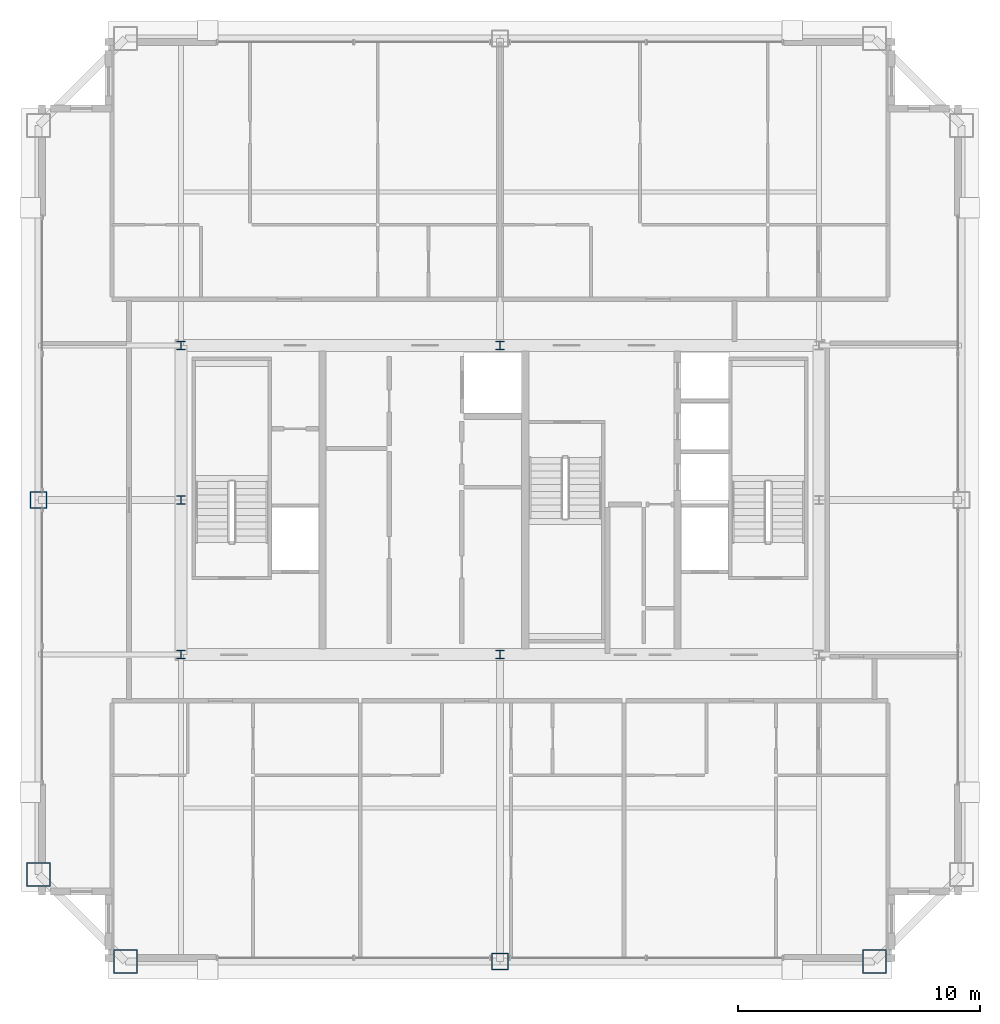
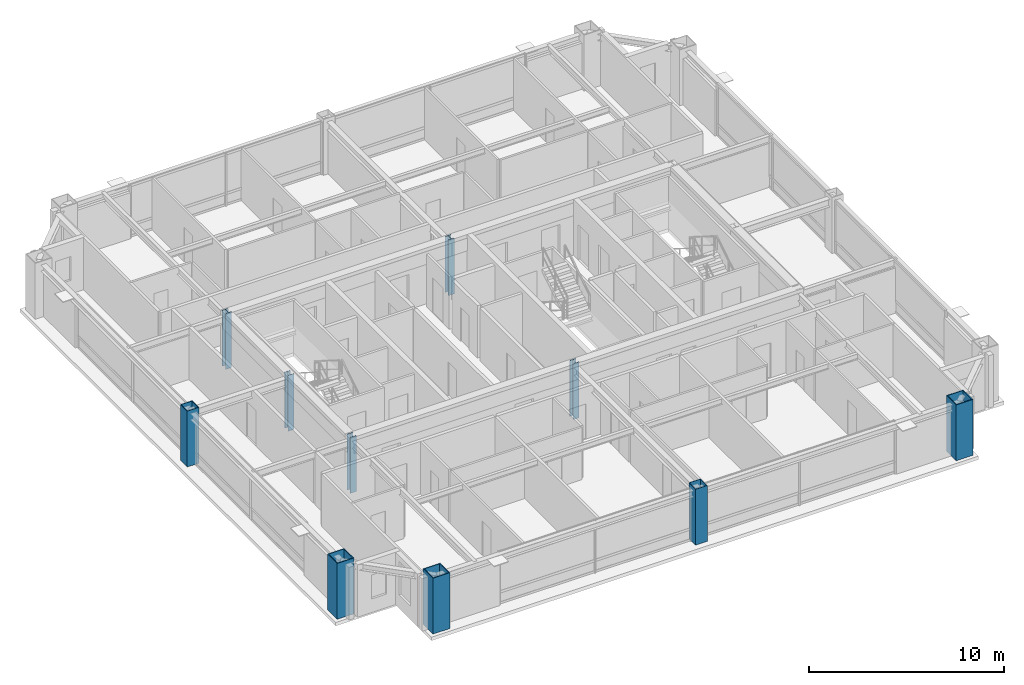
# One storey, part 1 of 35: 10 columns.
"""IFC4 building model written with IfcOpenShell, lengths in metres."""

import ifcopenshell
import ifcopenshell.guid

model = None  # the IFC model being written
_history = None  # IfcOwnerHistory: only IFC2X3 demands one
_inside = {}  # id of a spatial element -> (the spatial element, [elements in it])
_under = {}  # id of a project, library or spatial element -> (it, [spatial elements below it])
_declared = {}  # id of a project -> (the project, [libraries it declares])
_typed = {}  # id of a type object -> (the type object, [elements of that type])
_made_of = {}  # id of a material, layer set ... -> (it, [elements and type objects made of it])


def new_model(schema):
    """Start an empty IFC model of exactly this schema.

    Asked for "IFC4X3", IfcOpenShell would pick the latest addendum, in which some entities
    have other attributes; the version numbers below select the first issue.
    IFC2X3 requires an IfcOwnerHistory on every rooted entity: one is made here for all.
    """
    global model, _history
    if schema == "IFC4X3":
        model = ifcopenshell.file(schema_version=(4, 3, 0, 0))
    else:
        model = ifcopenshell.file(schema=schema)
    _inside.clear()
    _under.clear()
    _declared.clear()
    _typed.clear()
    _made_of.clear()
    _history = None
    if model.schema == "IFC2X3":
        org = make("IfcOrganization", Name="unknown")
        user = make(
            "IfcPersonAndOrganization",
            ThePerson=make("IfcPerson", FamilyName="unknown"),
            TheOrganization=org,
        )
        app = make(
            "IfcApplication",
            ApplicationDeveloper=org,
            Version="unknown",
            ApplicationFullName="unknown",
            ApplicationIdentifier="unknown",
        )
        _history = make(
            "IfcOwnerHistory",
            OwningUser=user,
            OwningApplication=app,
            ChangeAction="ADDED",
            CreationDate=0,
        )
    return model


def make(cls, **values):
    """One entity of the class cls with the attributes given. An attribute that is None is left unset."""
    return model.create_entity(
        cls, **{name: value for name, value in values.items() if value is not None}
    )


def rooted(cls, **values):
    """An entity with a GlobalId (a new one), such as an element, a storey or a relation."""
    return make(cls, GlobalId=ifcopenshell.guid.new(), OwnerHistory=_history, **values)


def si_unit(unit_type, name, prefix=None):
    """IfcSIUnit, for example si_unit("LENGTHUNIT", "METRE", prefix="MILLI")."""
    return make("IfcSIUnit", UnitType=unit_type, Prefix=prefix, Name=name)


def assignment(units):
    """IfcUnitAssignment: the units of a project."""
    return None if units is None else make("IfcUnitAssignment", Units=units)


def point(xyz):
    """IfcCartesianPoint."""
    return None if xyz is None else make("IfcCartesianPoint", Coordinates=xyz)


def direction(xyz):
    """IfcDirection."""
    return None if xyz is None else make("IfcDirection", DirectionRatios=xyz)


def frame(location, z_axis=None, x_axis=None):
    """IfcAxis2Placement3D, a coordinate frame: its origin and axes. An axis left out is left unset."""
    return make(
        "IfcAxis2Placement3D",
        Location=point(location),
        Axis=direction(z_axis),
        RefDirection=direction(x_axis),
    )


def frame_2d(location, x_axis=None):
    """IfcAxis2Placement2D, a coordinate frame in the plane: its origin and x axis."""
    return make(
        "IfcAxis2Placement2D", Location=point(location), RefDirection=direction(x_axis)
    )


def origin():
    """The frame at (0, 0, 0) with its axes left unset."""
    return frame((0.0, 0.0, 0.0))


def origin_2d():
    """The frame at (0, 0) in the plane with its x axis left unset."""
    return frame_2d((0.0, 0.0))


def place(relative_to, where):
    """IfcLocalPlacement: puts the frame where relative to a parent placement (None: the world)."""
    return make(
        "IfcLocalPlacement", PlacementRelTo=relative_to, RelativePlacement=where
    )


def context(
    kind, dimensions, precision=None, world=None, true_north=None, identifier=None
):
    """IfcGeometricRepresentationContext, for example the 3D "Model" context."""
    return make(
        "IfcGeometricRepresentationContext",
        ContextIdentifier=identifier,
        ContextType=kind,
        CoordinateSpaceDimension=dimensions,
        Precision=precision,
        WorldCoordinateSystem=world,
        TrueNorth=true_north,
    )


def subcontext(parent, identifier, kind, view, scale=None):
    """IfcGeometricRepresentationSubContext, for example "Body" below "Model"."""
    return make(
        "IfcGeometricRepresentationSubContext",
        ContextIdentifier=identifier,
        ContextType=kind,
        ParentContext=parent,
        TargetScale=scale,
        TargetView=view,
    )


def project(units=None, contexts=None):
    """IfcProject with its units and contexts."""
    return rooted(
        "IfcProject",
        Name="project",
        RepresentationContexts=contexts,
        UnitsInContext=assignment(units),
    )


def spatial(cls, under=None, at=None, **own):
    """A site, building, storey or space (cls), placed at a placement, below another one or the project."""
    s = rooted(cls, ObjectPlacement=at, **own)
    if under is not None:
        _under.setdefault(under.id(), (under, []))[1].append(s)
    return s


def profile(cls, at=None, kind="AREA", **sizes):
    """A parametric profile (cls). Its sizes go by their IFC names, for example OverallWidth=200.0."""
    return make(cls, ProfileType=kind, Position=at, **sizes)


def hollow_rectangle(**sizes):
    """IfcRectangleHollowProfileDef."""
    return profile("IfcRectangleHollowProfileDef", **sizes)


def i_section(**sizes):
    """IfcIShapeProfileDef."""
    return profile("IfcIShapeProfileDef", **sizes)


def extrude(swept, where, along, depth):
    """IfcExtrudedAreaSolid: the profile swept, set in the frame where, extruded along a direction by depth."""
    return make(
        "IfcExtrudedAreaSolid",
        SweptArea=swept,
        Position=where,
        ExtrudedDirection=direction(along),
        Depth=depth,
    )


def shape(context_of_items, identifier, shape_type, items):
    """IfcShapeRepresentation: the items that make up one representation, for example the "Body"."""
    return make(
        "IfcShapeRepresentation",
        ContextOfItems=context_of_items,
        RepresentationIdentifier=identifier,
        RepresentationType=shape_type,
        Items=items,
    )


def source(mapping_origin, context_of_items, identifier, shape_type, items):
    """IfcRepresentationMap: a shape defined once, which mapped items show again and again."""
    return make(
        "IfcRepresentationMap",
        MappingOrigin=mapping_origin,
        MappedRepresentation=shape(context_of_items, identifier, shape_type, items),
    )


def transform(
    local_origin,
    x_axis=None,
    y_axis=None,
    z_axis=None,
    scale=None,
    scale2=None,
    scale3=None,
    uniform=True,
):
    """IfcCartesianTransformationOperator3D, or its non-uniform kind. x_axis, y_axis, z_axis: its Axis1, 2, 3."""
    if uniform:
        return make(
            "IfcCartesianTransformationOperator3D",
            Axis1=direction(x_axis),
            Axis2=direction(y_axis),
            LocalOrigin=point(local_origin),
            Scale=scale,
            Axis3=direction(z_axis),
        )
    return make(
        "IfcCartesianTransformationOperator3DnonUniform",
        Axis1=direction(x_axis),
        Axis2=direction(y_axis),
        LocalOrigin=point(local_origin),
        Scale=scale,
        Axis3=direction(z_axis),
        Scale2=scale2,
        Scale3=scale3,
    )


def mapped(mapping_source, mapping_target):
    """IfcMappedItem: shows the shape of a source again, moved by a transform."""
    return make(
        "IfcMappedItem", MappingSource=mapping_source, MappingTarget=mapping_target
    )


def material(Name=None, Category=None):
    """IfcMaterial."""
    return make("IfcMaterial", Name=Name, Category=Category)


def material_profile(
    of_material, cross_section, Name=None, Category=None, Priority=None
):
    """IfcMaterialProfile: a cross section and its material."""
    return make(
        "IfcMaterialProfile",
        Name=Name,
        Material=of_material,
        Profile=cross_section,
        Priority=Priority,
        Category=Category,
    )


def profile_set(profiles, Name=None, composite=None):
    """IfcMaterialProfileSet."""
    return make(
        "IfcMaterialProfileSet",
        Name=Name,
        MaterialProfiles=profiles,
        CompositeProfile=composite,
    )


def made_of(thing, what):
    """Note that an element or type object is made of a material, layer set ...; save() writes the relation."""
    if what is not None:
        _made_of.setdefault(what.id(), (what, []))[1].append(thing)
    return thing


def type_object(cls, material=None, **own):
    """A type object (cls), such as IfcWallType, which elements share."""
    return made_of(rooted(cls, **own), material)


def element(
    cls,
    number,
    at=None,
    inside=None,
    cuts=None,
    type_object=None,
    material=None,
    context=None,
    identifier="Body",
    shape_type=None,
    held_by="IfcProductDefinitionShape",
    body=None,
    shapes=None,
    **own,
):
    """One element of the class cls, such as IfcWall. Its Tag is "e" and its number.

    at: its placement. inside: the storey or other place that contains it. cuts: it is an
    opening in that element (IfcRelVoidsElement). A single representation is given by context,
    identifier, shape_type and body (its items); several are given by shapes. held_by: the class
    of the entity that holds the representations. save() writes the other relations.
    """
    e = rooted(cls, Tag="e%d" % number, ObjectPlacement=at, **own)
    if body is not None:
        shapes = [shape(context, identifier, shape_type, body)]
    if shapes is not None:
        e.Representation = make(held_by, Representations=shapes)
    if inside is not None:
        _inside.setdefault(inside.id(), (inside, []))[1].append(e)
    if cuts is not None:
        rooted(
            "IfcRelVoidsElement", RelatingBuildingElement=cuts, RelatedOpeningElement=e
        )
    if type_object is not None:
        _typed.setdefault(type_object.id(), (type_object, []))[1].append(e)
    return made_of(e, material)


def aggregate(whole, parts):
    """IfcRelAggregates: a whole, such as a stair, and the parts it consists of."""
    return rooted("IfcRelAggregates", RelatingObject=whole, RelatedObjects=parts)


def save(model, path):
    """Write the relations noted so far, then the file.

    IfcRelAggregates (storeys below a building ...), IfcRelContainedInSpatialStructure (elements
    in a storey), IfcRelDefinesByType, IfcRelAssociatesMaterial and IfcRelDeclares: one each for
    every whole, place, type object, material and project.
    """
    for whole, parts in _under.values():
        aggregate(whole, parts)
    for where, things in _inside.values():
        rooted(
            "IfcRelContainedInSpatialStructure",
            RelatedElements=things,
            RelatingStructure=where,
        )
    for kind, things in _typed.values():
        rooted("IfcRelDefinesByType", RelatedObjects=things, RelatingType=kind)
    for what, things in _made_of.values():
        rooted("IfcRelAssociatesMaterial", RelatedObjects=things, RelatingMaterial=what)
    for by, libraries in _declared.values():
        rooted("IfcRelDeclares", RelatingContext=by, RelatedDefinitions=libraries)
    model.write(path)


model = new_model("IFC4")

# Units and contexts
model_context = context("Model", 3, precision=1e-05, world=origin(), true_north=direction((0.0, 1.0)))
body_context = subcontext(model_context, "Body", "Model", "MODEL_VIEW")
ifc_project = project(units=[si_unit("LENGTHUNIT", "METRE"), si_unit("AREAUNIT", "SQUARE_METRE"), si_unit("VOLUMEUNIT", "CUBIC_METRE"), si_unit("PLANEANGLEUNIT", "RADIAN"), si_unit("MASSUNIT", "GRAM", prefix="KILO"), si_unit("THERMODYNAMICTEMPERATUREUNIT", "KELVIN"), si_unit("POWERUNIT", "WATT")], contexts=[model_context])

# Site, building, storey
site_placement = place(None, origin())
site = spatial("IfcSite", under=ifc_project, at=site_placement, CompositionType="ELEMENT")
building_placement = place(site_placement, origin())
building = spatial("IfcBuilding", under=site, at=building_placement, Name="Yuzanri Waterfront Tower", CompositionType="ELEMENT")
storey_placement = place(building_placement, frame((0.0, 0.0, 318.199951171875)))
storey = spatial("IfcBuildingStorey", under=building, at=storey_placement, Name="L85", CompositionType="ELEMENT", Elevation=318.199951171875)

# Columns
ifc_material_1 = material(Name="Steel Q355B", Category="steel")
ifc_material_profile_1 = material_profile(ifc_material_1, hollow_rectangle(XDim=0.699951171875, YDim=0.699951171875, WallThickness=0.031982421875, at=origin_2d()), Name="RHS 700x700x32")
ifc_profile_set_1 = profile_set([ifc_material_profile_1], Name="Steel Q355B")
column_type_1 = type_object("IfcColumnType", Name="Frame Column Q355B RHS 700x700x32", PredefinedType="COLUMN", material=ifc_profile_set_1)
shared_shape_1 = source(origin(), body_context, "Body", "SweptSolid", [
    extrude(hollow_rectangle(XDim=0.699951171875, YDim=0.699951171875, WallThickness=0.031982421875, at=origin_2d()), origin(), (0.0, 0.0, 1.0), 3.5),
])
for number, where, z_axis, x_axis, name in (
    (1, (37.0, 6.699951171875, 0.0), (0.0, 0.0, 1.0), (1.0, 0.0, 0.0), "L85 Perimeter Frame Column S2"),
    (2, (17.89990234375, 25.800048828125, 0.0), (0.0, 0.0, 1.0), (1.0, 0.0, 0.0), "L85 Perimeter Frame Column W2"),
):
    element("IfcColumn", number, at=place(storey_placement, frame(where, z_axis=z_axis, x_axis=x_axis)), inside=storey, type_object=column_type_1, Name=name, PredefinedType="COLUMN", context=body_context, shape_type="MappedRepresentation", body=[
        mapped(shared_shape_1, transform((0.0, 0.0, 0.0), scale=1.0)),
    ])
ifc_material_2 = material(Name="Steel Q355B", Category="steel")
ifc_material_profile_2 = material_profile(ifc_material_2, i_section(OverallWidth=0.35009765625, OverallDepth=0.35009765625, WebThickness=0.011962890625, FlangeThickness=0.01904296875, at=origin_2d()), Name="HW 350x350x12x19")
ifc_profile_set_2 = profile_set([ifc_material_profile_2], Name="Steel Q355B")
column_type_2 = type_object("IfcColumnType", Name="Core Post Q355B HW 350x350x12x19", PredefinedType="COLUMN", material=ifc_profile_set_2)
shared_shape_2 = source(origin(), body_context, "Body", "SweptSolid", [
    extrude(i_section(OverallWidth=0.35009765625, OverallDepth=0.35009765625, WebThickness=0.011962890625, FlangeThickness=0.01904296875, at=origin_2d()), origin(), (0.0, 0.0, 1.0), 3.5),
])
for number, where, z_axis, x_axis, name in (
    (3, (23.800048828125, 19.39990234375, 0.0), (0.0, 0.0, 1.0), (1.0, 0.0, 0.0), "L85 Core Boundary Column CP1"),
    (4, (37.0, 19.39990234375, 0.0), (0.0, 0.0, 1.0), (1.0, 0.0, 0.0), "L85 Core Boundary Column CP2"),
    (5, (23.800048828125, 25.800048828125, 0.0), (0.0, 0.0, 1.0), (1.0, 0.0, 0.0), "L85 Core Boundary Column CP4"),
    (6, (23.800048828125, 32.199951171875, 0.0), (0.0, 0.0, 1.0), (1.0, 0.0, 0.0), "L85 Core Boundary Column CP6"),
    (7, (37.0, 32.199951171875, 0.0), (0.0, 0.0, 1.0), (1.0, 0.0, 0.0), "L85 Core Boundary Column CP7"),
):
    element("IfcColumn", number, at=place(storey_placement, frame(where, z_axis=z_axis, x_axis=x_axis)), inside=storey, type_object=column_type_2, Name=name, PredefinedType="COLUMN", context=body_context, shape_type="MappedRepresentation", body=[
        mapped(shared_shape_2, transform((0.0, 0.0, 0.0), scale=1.0)),
    ])
ifc_material_3 = material(Name="Steel Q390GJC", Category="steel")
ifc_material_profile_3 = material_profile(ifc_material_3, hollow_rectangle(XDim=1.0, YDim=1.0, WallThickness=0.048095703125, at=origin_2d()), Name="RHS 1000x1000x48")
ifc_profile_set_3 = profile_set([ifc_material_profile_3], Name="Steel Q390GJC")
column_type_3 = type_object("IfcColumnType", Name="Mega Column Q390GJC RHS 1000x1000x48", PredefinedType="COLUMN", material=ifc_profile_set_3)
shared_shape_3 = source(origin(), body_context, "Body", "SweptSolid", [
    extrude(hollow_rectangle(XDim=1.0, YDim=1.0, WallThickness=0.048095703125, at=origin_2d()), origin(), (0.0, 0.0, 1.0), 3.5),
])
for number, where, z_axis, x_axis, name in (
    (8, (21.5, 6.699951171875, 0.0), (0.0, 0.0, 1.0), (1.0, 0.0, 0.0), "L85 Perimeter Mega Column S1"),
    (9, (52.5, 6.699951171875, 0.0), (0.0, 0.0, 1.0), (1.0, 0.0, 0.0), "L85 Perimeter Mega Column S3"),
    (10, (17.89990234375, 10.300048828125, 0.0), (0.0, 0.0, 1.0), (1.0, 0.0, 0.0), "L85 Perimeter Mega Column W1"),
):
    element("IfcColumn", number, at=place(storey_placement, frame(where, z_axis=z_axis, x_axis=x_axis)), inside=storey, type_object=column_type_3, Name=name, PredefinedType="COLUMN", context=body_context, shape_type="MappedRepresentation", body=[
        mapped(shared_shape_3, transform((0.0, 0.0, 0.0), scale=1.0)),
    ])

save(model, "model.ifc")
